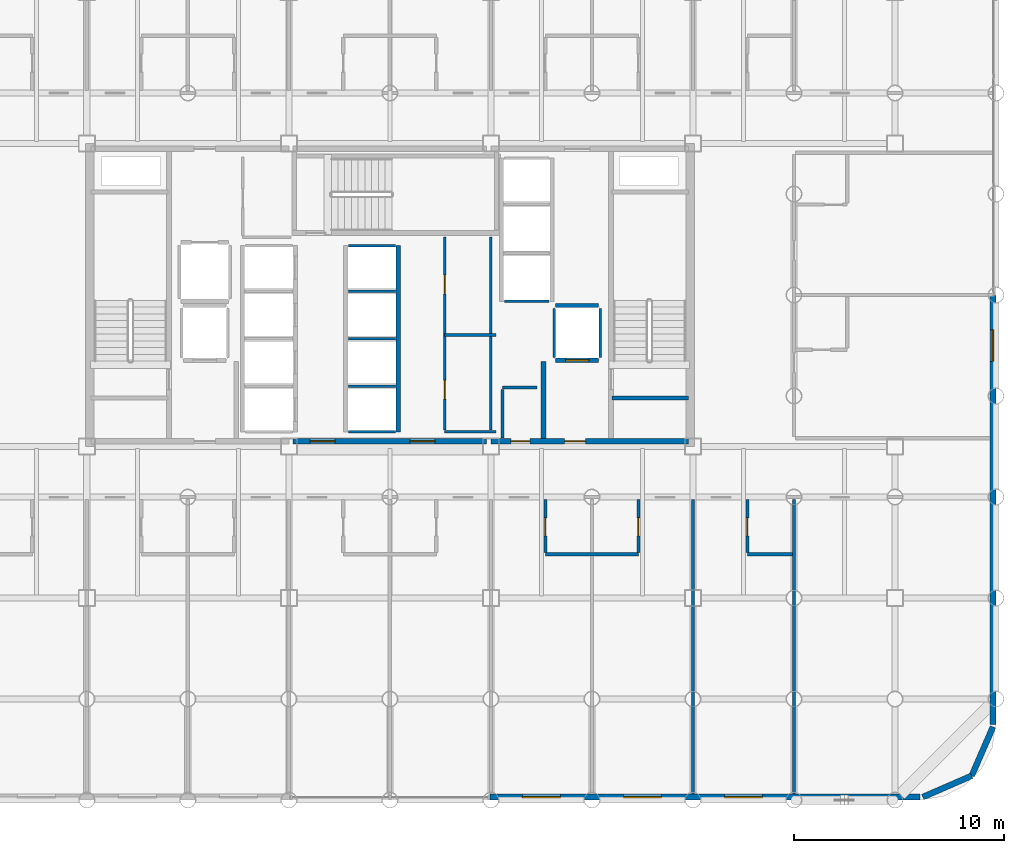
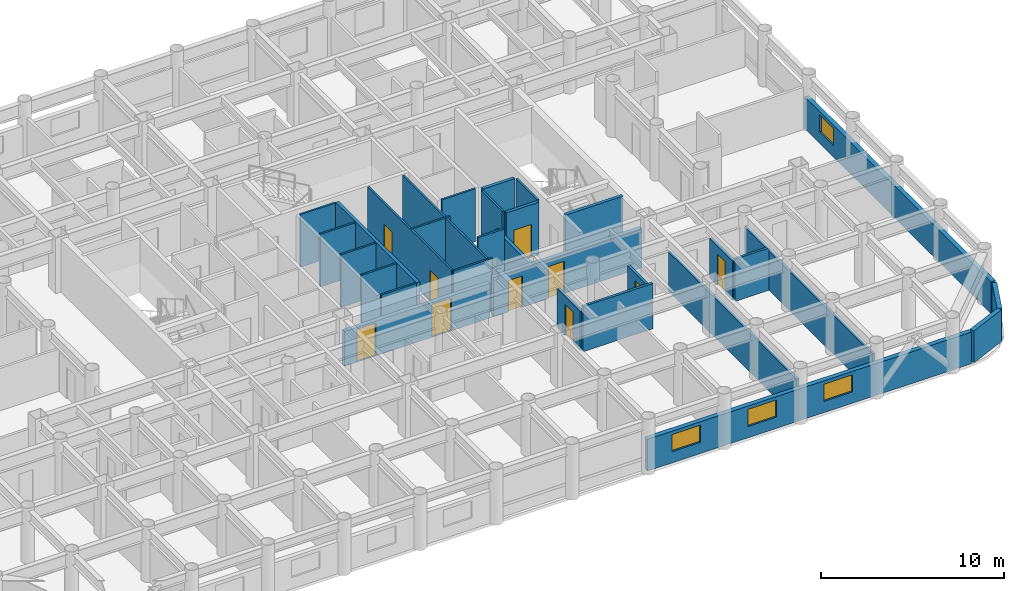
# One storey, part 18 of 22: 32 walls, 10 doors, 4 windows, 14 openings.
"""IFC4 building model written with IfcOpenShell, lengths in metres."""

from ifc_helpers import new_model, si_unit, direction, frame, frame_2d, origin, place, context, subcontext, project, spatial, rectangle, extrude, material, layer, layer_set, type_object, element, fill, save


model = new_model("IFC4")

# Units and contexts
model_context = context("Model", 3, precision=1e-05, world=origin(), true_north=direction((0.0, 1.0)))
body_context = subcontext(model_context, "Body", "Model", "MODEL_VIEW")
ifc_project = project(units=[si_unit("LENGTHUNIT", "METRE"), si_unit("AREAUNIT", "SQUARE_METRE"), si_unit("VOLUMEUNIT", "CUBIC_METRE"), si_unit("PLANEANGLEUNIT", "RADIAN"), si_unit("MASSUNIT", "GRAM", prefix="KILO")], contexts=[model_context])

# Site, building, storey
site_placement = place(None, origin())
site = spatial("IfcSite", under=ifc_project, at=site_placement, CompositionType="ELEMENT")
building_placement = place(site_placement, origin())
building = spatial("IfcBuilding", under=site, at=building_placement, Name="Kallvorn Hotel Tower", CompositionType="ELEMENT")
storey_placement = place(building_placement, frame((0.0, 0.0, 37.39990234375)))
storey = spatial("IfcBuildingStorey", under=building, at=storey_placement, Name="L07", CompositionType="ELEMENT", Elevation=37.39990234375)

# Walls
ifc_material_1 = material(Name="Fire-rated double-layer acoustic gypsum drywall EI 60")
ifc_layer_1 = layer(ifc_material_1, 0.159912109375)
ifc_layer_set_1 = layer_set([ifc_layer_1], Name="WL_DEMISE_160")
wall_type_1 = type_object("IfcWallType", Name="WL_DEMISE_160", PredefinedType="PARTITIONING", material=ifc_layer_set_1)
wall_1_placement = place(storey_placement, frame((7.389892578125, -12.320068359375, 0.0), z_axis=(0.0, 0.0, 1.0), x_axis=(1.0, 0.0, 0.0)))
element("IfcWall", 1, at=wall_1_placement, inside=storey, type_object=wall_type_1, Name="L07 Suite 711 Superior Twin Room Partition", PredefinedType="PARTITIONING", context=body_context, shape_type="SweptSolid", body=[
    extrude(rectangle(XDim=4.420166015625, YDim=0.159912109375, at=frame_2d((2.2099609375, 0.0))), origin(), (0.0, 0.0, 1.0), 3.02001953125),
])
wall_2_placement = place(storey_placement, frame((16.989990234375, -12.320068359375, 0.0), z_axis=(0.0, 0.0, 1.0), x_axis=(1.0, 0.0, 0.0)))
element("IfcWall", 2, at=wall_2_placement, inside=storey, type_object=wall_type_1, Name="L07 Suite 713 Superior Twin Room Partition", PredefinedType="PARTITIONING", context=body_context, shape_type="SweptSolid", body=[
    extrude(rectangle(XDim=2.130126953125, YDim=0.159912109375, at=frame_2d((1.06494140625, 0.0))), origin(), (0.0, 0.0, 1.0), 2.820068359375),
])

# Wall, opening, door
wall_3_placement = place(storey_placement, frame((7.389892578125, -12.235107421875, 0.0), z_axis=(0.0, 0.0, 1.0), x_axis=(0.0, 1.0, 0.0)))
wall_3 = element("IfcWall", 3, at=wall_3_placement, inside=storey, type_object=wall_type_1, Name="L07 Suite 711 Superior Twin Room Partition", PredefinedType="PARTITIONING", context=body_context, shape_type="SweptSolid", body=[
    extrude(rectangle(XDim=2.51513671875, YDim=0.159912109375, at=frame_2d((1.257568359375, 0.0))), origin(), (0.0, 0.0, 1.0), 2.6201171875),
])
opening_1_placement = place(wall_3_placement, frame((0.784912109375, 0.0, 0.0)))
opening_1 = element("IfcOpeningElement", 4, at=opening_1_placement, cuts=wall_3, Name="Opening BD-I", PredefinedType="OPENING", context=body_context, shape_type="SweptSolid", body=[
    extrude(rectangle(XDim=0.860107421875, YDim=2.10009765625, at=frame_2d((0.43017578125, 1.050048828125))), frame((0.0, 0.094970703125, 0.0), z_axis=(0.0, -1.0, 0.0), x_axis=(1.0, 0.0, 0.0)), (0.0, 0.0, 1.0), 0.18994140625),
])
ifc_material_2 = material(Name="Solid-core walnut veneer fire-rated timber door leaf", Category="wood")
door_type_1 = type_object("IfcDoorType", Name="DR_BATH_860x2100", OperationType="NOTDEFINED", PredefinedType="DOOR", material=ifc_material_2)
door_1_placement = place(opening_1_placement, origin())
door_1 = element("IfcDoor", 5, at=door_1_placement, inside=storey, type_object=door_type_1, Name="L07 Suite 711 En-Suite Bathroom Door", OperationType="SINGLE_SWING_LEFT", OverallHeight=2.10009765625, OverallWidth=0.860107421875, PredefinedType="DOOR", context=body_context, shape_type="SweptSolid", body=[
    extrude(rectangle(XDim=0.860107421875, YDim=2.10009765625, at=frame_2d((0.43017578125, 1.050048828125))), frame((0.0, 0.02490234375, 0.0), z_axis=(0.0, -1.0, 0.0), x_axis=(1.0, 0.0, 0.0)), (0.0, 0.0, 1.0), 0.050048828125),
])
fill(opening_1, door_1)

wall_4_placement = place(storey_placement, frame((11.81005859375, -12.235107421875, 0.0), z_axis=(0.0, 0.0, 1.0), x_axis=(0.0, 1.0, 0.0)))
wall_4 = element("IfcWall", 6, at=wall_4_placement, inside=storey, type_object=wall_type_1, Name="L07 Suite 712 Superior Twin Room Partition", PredefinedType="PARTITIONING", context=body_context, shape_type="SweptSolid", body=[
    extrude(rectangle(XDim=2.51513671875, YDim=0.159912109375, at=frame_2d((1.257568359375, 0.0))), origin(), (0.0, 0.0, 1.0), 2.6201171875),
])
opening_2_placement = place(wall_4_placement, frame((0.784912109375, 0.0, 0.0)))
opening_2 = element("IfcOpeningElement", 7, at=opening_2_placement, cuts=wall_4, Name="Opening BD-I", PredefinedType="OPENING", context=body_context, shape_type="SweptSolid", body=[
    extrude(rectangle(XDim=0.860107421875, YDim=2.10009765625, at=frame_2d((0.43017578125, 1.050048828125))), frame((0.0, 0.094970703125, 0.0), z_axis=(0.0, -1.0, 0.0), x_axis=(1.0, 0.0, 0.0)), (0.0, 0.0, 1.0), 0.18994140625),
])
door_2_placement = place(opening_2_placement, origin())
door_2 = element("IfcDoor", 8, at=door_2_placement, inside=storey, type_object=door_type_1, Name="L07 Suite 712 En-Suite Bathroom Door", OperationType="SINGLE_SWING_LEFT", OverallHeight=2.10009765625, OverallWidth=0.860107421875, PredefinedType="DOOR", context=body_context, shape_type="SweptSolid", body=[
    extrude(rectangle(XDim=0.860107421875, YDim=2.10009765625, at=frame_2d((0.43017578125, 1.050048828125))), frame((0.0, 0.02490234375, 0.0), z_axis=(0.0, -1.0, 0.0), x_axis=(1.0, 0.0, 0.0)), (0.0, 0.0, 1.0), 0.050048828125),
])
fill(opening_2, door_2)

# Wall
wall_5_placement = place(storey_placement, frame((14.39990234375, -23.7099609375, 0.0), z_axis=(0.0, 0.0, 1.0), x_axis=(0.0, 1.0, 0.0)))
element("IfcWall", 9, at=wall_5_placement, inside=storey, type_object=wall_type_1, Name="L07 Suite 712 Superior Twin Room Partition", PredefinedType="PARTITIONING", context=body_context, shape_type="SweptSolid", body=[
    extrude(rectangle(XDim=13.989990234375, YDim=0.159912109375, at=frame_2d((6.9951171875, 0.0))), origin(), (0.0, 0.0, 1.0), 2.6201171875),
])

# Wall, opening, door
wall_6_placement = place(storey_placement, frame((16.989990234375, -12.235107421875, 0.0), z_axis=(0.0, 0.0, 1.0), x_axis=(0.0, 1.0, 0.0)))
wall_6 = element("IfcWall", 10, at=wall_6_placement, inside=storey, type_object=wall_type_1, Name="L07 Suite 713 Superior Twin Room Partition", PredefinedType="PARTITIONING", context=body_context, shape_type="SweptSolid", body=[
    extrude(rectangle(XDim=2.51513671875, YDim=0.159912109375, at=frame_2d((1.257568359375, 0.0))), origin(), (0.0, 0.0, 1.0), 2.6201171875),
])
opening_3_placement = place(wall_6_placement, frame((0.784912109375, 0.0, 0.0)))
opening_3 = element("IfcOpeningElement", 11, at=opening_3_placement, cuts=wall_6, Name="Opening BD-I", PredefinedType="OPENING", context=body_context, shape_type="SweptSolid", body=[
    extrude(rectangle(XDim=0.860107421875, YDim=2.10009765625, at=frame_2d((0.43017578125, 1.050048828125))), frame((0.0, 0.094970703125, 0.0), z_axis=(0.0, -1.0, 0.0), x_axis=(1.0, 0.0, 0.0)), (0.0, 0.0, 1.0), 0.18994140625),
])
door_3_placement = place(opening_3_placement, origin())
door_3 = element("IfcDoor", 12, at=door_3_placement, inside=storey, type_object=door_type_1, Name="L07 Suite 713 En-Suite Bathroom Door", OperationType="SINGLE_SWING_LEFT", OverallHeight=2.10009765625, OverallWidth=0.860107421875, PredefinedType="DOOR", context=body_context, shape_type="SweptSolid", body=[
    extrude(rectangle(XDim=0.860107421875, YDim=2.10009765625, at=frame_2d((0.43017578125, 1.050048828125))), frame((0.0, 0.02490234375, 0.0), z_axis=(0.0, -1.0, 0.0), x_axis=(1.0, 0.0, 0.0)), (0.0, 0.0, 1.0), 0.050048828125),
])
fill(opening_3, door_3)

# Walls
wall_7_placement = place(storey_placement, frame((19.199951171875, -23.7099609375, 0.0), z_axis=(0.0, 0.0, 1.0), x_axis=(0.0, 1.0, 0.0)))
element("IfcWall", 13, at=wall_7_placement, inside=storey, type_object=wall_type_1, Name="L07 Suite 713 Superior Twin Room Partition", PredefinedType="PARTITIONING", context=body_context, shape_type="SweptSolid", body=[
    extrude(rectangle(XDim=13.989990234375, YDim=0.159912109375, at=frame_2d((6.9951171875, 0.0))), origin(), (0.0, 0.0, 1.0), 2.6201171875),
])
ifc_material_3 = material(Name="Precast basalt-clad insulated concrete wall C40/50", Category="masonry")
ifc_layer_2 = layer(ifc_material_3, 0.280029296875)
ifc_layer_set_2 = layer_set([ifc_layer_2], Name="WL_EXT_LOGGIA_280")
wall_type_2 = type_object("IfcWallType", Name="WL_EXT_LOGGIA_280", PredefinedType="SOLIDWALL", material=ifc_layer_set_2)
wall_8_placement = place(storey_placement, frame((25.32080078125, -23.85791015625, 0.0), z_axis=(0.0, 0.0, 1.0), x_axis=(0.917060872934, 0.398747232384, 0.0)))
element("IfcWall", 14, at=wall_8_placement, inside=storey, type_object=wall_type_2, Name="L07 Rounded Corner Exterior Wall SE1", PredefinedType="SOLIDWALL", context=body_context, shape_type="SweptSolid", body=[
    extrude(rectangle(XDim=2.5361328125, YDim=0.280029296875, at=frame_2d((1.26806640625, 0.0))), origin(), (0.0, 0.0, 1.0), 2.1201171875),
])
wall_9_placement = place(storey_placement, frame((27.646484375, -22.8466796875, 0.0), z_axis=(0.0, 0.0, 1.0), x_axis=(0.398792985289, 0.917040977756, 0.0)))
element("IfcWall", 15, at=wall_9_placement, inside=storey, type_object=wall_type_2, Name="L07 Rounded Corner Exterior Wall SE2", PredefinedType="SOLIDWALL", context=body_context, shape_type="SweptSolid", body=[
    extrude(rectangle(XDim=2.536376953125, YDim=0.280029296875, at=frame_2d((1.26806640625, 0.0))), origin(), (0.0, 0.0, 1.0), 2.1201171875),
])

# Wall, openings, windows
wall_10_placement = place(storey_placement, frame((4.75, -23.860107421875, 0.0), z_axis=(0.0, 0.0, 1.0), x_axis=(1.0, 0.0, 0.0)))
wall_10 = element("IfcWall", 16, at=wall_10_placement, inside=storey, type_object=wall_type_2, Name="L07 Exterior Envelope Wall EW-L07-SE", PredefinedType="SOLIDWALL", context=body_context, shape_type="SweptSolid", body=[
    extrude(rectangle(XDim=20.449951171875, YDim=0.280029296875, at=frame_2d((10.22509765625, 0.0))), origin(), (0.0, 0.0, 1.0), 2.1201171875),
])
opening_4_placement = place(wall_10_placement, frame((1.550048828125, 0.0, 0.75)))
opening_4 = element("IfcOpeningElement", 17, at=opening_4_placement, cuts=wall_10, Name="Opening W04A", PredefinedType="OPENING", context=body_context, shape_type="SweptSolid", body=[
    extrude(rectangle(XDim=1.800048828125, YDim=1.14990234375, at=frame_2d((0.89990234375, 0.574951171875))), frame((0.0, 0.155029296875, 0.0), z_axis=(0.0, -1.0, 0.0), x_axis=(1.0, 0.0, 0.0)), (0.0, 0.0, 1.0), 0.31005859375),
])
opening_5_placement = place(wall_10_placement, frame((6.35009765625, 0.0, 0.75)))
opening_5 = element("IfcOpeningElement", 18, at=opening_5_placement, cuts=wall_10, Name="Opening W04A", PredefinedType="OPENING", context=body_context, shape_type="SweptSolid", body=[
    extrude(rectangle(XDim=1.800048828125, YDim=1.14990234375, at=frame_2d((0.89990234375, 0.574951171875))), frame((0.0, 0.155029296875, 0.0), z_axis=(0.0, -1.0, 0.0), x_axis=(1.0, 0.0, 0.0)), (0.0, 0.0, 1.0), 0.31005859375),
])
opening_6_placement = place(wall_10_placement, frame((11.14990234375, 0.0, 0.75)))
opening_6 = element("IfcOpeningElement", 19, at=opening_6_placement, cuts=wall_10, Name="Opening W04A", PredefinedType="OPENING", context=body_context, shape_type="SweptSolid", body=[
    extrude(rectangle(XDim=1.800048828125, YDim=1.14990234375, at=frame_2d((0.89990234375, 0.574951171875))), frame((0.0, 0.155029296875, 0.0), z_axis=(0.0, -1.0, 0.0), x_axis=(1.0, 0.0, 0.0)), (0.0, 0.0, 1.0), 0.31005859375),
])
ifc_material_4 = material(Name="Double-glazed low-e solar-control dark glass", Category="glass")
window_type_1 = type_object("IfcWindowType", Name="WN_HTL_1800x1150", PartitioningType="SINGLE_PANEL", PredefinedType="WINDOW", material=ifc_material_4)
window_1_placement = place(opening_4_placement, origin())
window_1 = element("IfcWindow", 20, at=window_1_placement, inside=storey, type_object=window_type_1, Name="L07 Guestroom Exterior Window 07", OverallHeight=1.14990234375, OverallWidth=1.800048828125, PartitioningType="SINGLE_PANEL", PredefinedType="WINDOW", context=body_context, shape_type="SweptSolid", body=[
    extrude(rectangle(XDim=1.800048828125, YDim=1.14990234375, at=frame_2d((0.89990234375, 0.574951171875))), frame((0.0, 0.030029296875, 0.0), z_axis=(0.0, -1.0, 0.0), x_axis=(1.0, 0.0, 0.0)), (0.0, 0.0, 1.0), 0.06005859375),
])
fill(opening_4, window_1)
window_2_placement = place(opening_5_placement, origin())
window_2 = element("IfcWindow", 21, at=window_2_placement, inside=storey, type_object=window_type_1, Name="L07 Guestroom Exterior Window 08", OverallHeight=1.14990234375, OverallWidth=1.800048828125, PartitioningType="SINGLE_PANEL", PredefinedType="WINDOW", context=body_context, shape_type="SweptSolid", body=[
    extrude(rectangle(XDim=1.800048828125, YDim=1.14990234375, at=frame_2d((0.89990234375, 0.574951171875))), frame((0.0, 0.030029296875, 0.0), z_axis=(0.0, -1.0, 0.0), x_axis=(1.0, 0.0, 0.0)), (0.0, 0.0, 1.0), 0.06005859375),
])
fill(opening_5, window_2)
window_3_placement = place(opening_6_placement, origin())
window_3 = element("IfcWindow", 22, at=window_3_placement, inside=storey, type_object=window_type_1, Name="L07 Guestroom Exterior Window 09", OverallHeight=1.14990234375, OverallWidth=1.800048828125, PartitioningType="SINGLE_PANEL", PredefinedType="WINDOW", context=body_context, shape_type="SweptSolid", body=[
    extrude(rectangle(XDim=1.800048828125, YDim=1.14990234375, at=frame_2d((0.89990234375, 0.574951171875))), frame((0.0, 0.030029296875, 0.0), z_axis=(0.0, -1.0, 0.0), x_axis=(1.0, 0.0, 0.0)), (0.0, 0.0, 1.0), 0.06005859375),
])
fill(opening_6, window_3)

# Wall, opening, window
wall_11_placement = place(storey_placement, frame((28.659912109375, -20.39990234375, 0.0), z_axis=(0.0, 0.0, 1.0), x_axis=(0.0, 1.0, 0.0)))
wall_11 = element("IfcWall", 23, at=wall_11_placement, inside=storey, type_object=wall_type_2, Name="L07 Exterior Envelope Wall EW-L07-ES", PredefinedType="SOLIDWALL", context=body_context, shape_type="SweptSolid", body=[
    extrude(rectangle(XDim=20.3798828125, YDim=0.280029296875, at=frame_2d((10.18994140625, 0.0))), origin(), (0.0, 0.0, 1.0), 2.1201171875),
])
opening_7_placement = place(wall_11_placement, frame((17.25, 0.0, 0.75)))
opening_7 = element("IfcOpeningElement", 24, at=opening_7_placement, cuts=wall_11, Name="Opening W05A", PredefinedType="OPENING", context=body_context, shape_type="SweptSolid", body=[
    extrude(rectangle(XDim=1.5, YDim=1.14990234375, at=frame_2d((0.75, 0.574951171875))), frame((0.0, 0.155029296875, 0.0), z_axis=(0.0, -1.0, 0.0), x_axis=(1.0, 0.0, 0.0)), (0.0, 0.0, 1.0), 0.31005859375),
])
ifc_material_5 = material(Name="Double-glazed low-e solar-control dark glass", Category="glass")
window_type_2 = type_object("IfcWindowType", Name="WN_HTL_1500x1150", PartitioningType="SINGLE_PANEL", PredefinedType="WINDOW", material=ifc_material_5)
window_4_placement = place(opening_7_placement, origin())
window_4 = element("IfcWindow", 25, at=window_4_placement, inside=storey, type_object=window_type_2, Name="L07 Flank Wing Window 02", OverallHeight=1.14990234375, OverallWidth=1.5, PartitioningType="SINGLE_PANEL", PredefinedType="WINDOW", context=body_context, shape_type="SweptSolid", body=[
    extrude(rectangle(XDim=1.5, YDim=1.14990234375, at=frame_2d((0.75, 0.574951171875))), frame((0.0, 0.030029296875, 0.0), z_axis=(0.0, -1.0, 0.0), x_axis=(1.0, 0.0, 0.0)), (0.0, 0.0, 1.0), 0.06005859375),
])
fill(opening_7, window_4)

# Walls
ifc_material_6 = material(Name="Concrete C40/50", Category="concrete")
ifc_layer_3 = layer(ifc_material_6, 0.219970703125)
ifc_layer_set_3 = layer_set([ifc_layer_3], Name="WL_FFL_220")
wall_type_3 = type_object("IfcWallType", Name="WL_FFL_220", PredefinedType="SOLIDWALL", material=ifc_layer_set_3)
wall_12_placement = place(storey_placement, frame((7.300048828125, -6.820068359375, 0.0), z_axis=(0.0, 0.0, 1.0), x_axis=(0.0, 1.0, 0.0)))
element("IfcWall", 26, at=wall_12_placement, inside=storey, type_object=wall_type_3, Name="L07 Firefighting Lobby East Divider Wall", PredefinedType="SOLIDWALL", context=body_context, shape_type="SweptSolid", body=[
    extrude(rectangle(XDim=3.670166015625, YDim=0.219970703125, at=frame_2d((1.8349609375, 0.0))), origin(), (0.0, 0.0, 1.0), 2.6201171875),
])
ifc_material_7 = material(Name="Concrete C40/50", Category="concrete")
ifc_layer_4 = layer(ifc_material_7, 0.199951171875)
ifc_layer_set_4 = layer_set([ifc_layer_4], Name="WL_HOIST_200")
wall_type_4 = type_object("IfcWallType", Name="WL_HOIST_200", PredefinedType="SOLIDWALL", material=ifc_layer_set_4)
wall_13_placement = place(storey_placement, frame((10.550048828125, -4.89990234375, -0.179931640625), z_axis=(0.0, 0.0, 1.0), x_axis=(1.0, 0.0, 0.0)))
element("IfcWall", 27, at=wall_13_placement, inside=storey, type_object=wall_type_4, Name="L07 Stair ST2 South Wall", PredefinedType="SOLIDWALL", context=body_context, shape_type="SweptSolid", body=[
    extrude(rectangle(XDim=3.64990234375, YDim=0.199951171875, at=frame_2d((1.824951171875, 0.0))), origin(), (0.0, 0.0, 1.0), 3.699951171875),
])
wall_14_placement = place(storey_placement, frame((0.39990234375, -6.5, 0.0), z_axis=(0.0, 0.0, 1.0), x_axis=(0.0, 1.0, 0.0)))
element("IfcWall", 28, at=wall_14_placement, inside=storey, type_object=wall_type_4, Name="L07 Lift Bank B2 Rear Shaft Wall", PredefinedType="SOLIDWALL", context=body_context, shape_type="SweptSolid", body=[
    extrude(rectangle(XDim=8.85009765625, YDim=0.199951171875, at=frame_2d((4.425048828125, 0.0))), origin(), (0.0, 0.0, 1.0), 3.52001953125),
])

# Wall, opening, door
wall_15_placement = place(storey_placement, frame((7.8798828125, -3.10009765625, 0.0), z_axis=(0.0, 0.0, 1.0), x_axis=(1.0, 0.0, 0.0)))
wall_15 = element("IfcWall", 29, at=wall_15_placement, inside=storey, type_object=wall_type_4, Name="L07 FL-2 Landing Wall", PredefinedType="SOLIDWALL", context=body_context, shape_type="SweptSolid", body=[
    extrude(rectangle(XDim=2.0400390625, YDim=0.199951171875, at=frame_2d((1.02001953125, 0.0))), origin(), (0.0, 0.0, 1.0), 3.52001953125),
])
opening_8_placement = place(wall_15_placement, frame((0.469970703125, 0.0, 0.0)))
opening_8 = element("IfcOpeningElement", 30, at=opening_8_placement, cuts=wall_15, Name="Opening LD-FL-2", PredefinedType="OPENING", context=body_context, shape_type="SweptSolid", body=[
    extrude(rectangle(XDim=1.10009765625, YDim=2.199951171875, at=frame_2d((0.550048828125, 1.10009765625))), frame((0.0, 0.114990234375, 0.0), z_axis=(0.0, -1.0, 0.0), x_axis=(1.0, 0.0, 0.0)), (0.0, 0.0, 1.0), 0.22998046875),
])
ifc_material_8 = material(Name="Brushed stainless-steel automatic sliding lift landing door", Category="steel")
door_type_2 = type_object("IfcDoorType", Name="LD_PASS_1100x2200", OperationType="SLIDING_TO_LEFT", PredefinedType="DOOR", material=ifc_material_8)
door_4_placement = place(opening_8_placement, origin())
door_4 = element("IfcDoor", 31, at=door_4_placement, inside=storey, type_object=door_type_2, Name="L07 Lift Landing Sliding Door LD-FL-2", OperationType="SLIDING_TO_LEFT", OverallHeight=2.199951171875, OverallWidth=1.10009765625, PredefinedType="DOOR", context=body_context, shape_type="SweptSolid", body=[
    extrude(rectangle(XDim=1.10009765625, YDim=2.199951171875, at=frame_2d((0.550048828125, 1.10009765625))), frame((0.0, 0.02490234375, 0.0), z_axis=(0.0, -1.0, 0.0), x_axis=(1.0, 0.0, 0.0)), (0.0, 0.0, 1.0), 0.050048828125),
])
fill(opening_8, door_4)

# Walls
wall_16_placement = place(storey_placement, frame((7.8798828125, -0.5, 0.0), z_axis=(0.0, 0.0, 1.0), x_axis=(1.0, 0.0, 0.0)))
element("IfcWall", 32, at=wall_16_placement, inside=storey, type_object=wall_type_4, Name="L07 FL-2 Rear Shaft Wall", PredefinedType="SOLIDWALL", context=body_context, shape_type="SweptSolid", body=[
    extrude(rectangle(XDim=2.0400390625, YDim=0.199951171875, at=frame_2d((1.02001953125, 0.0))), origin(), (0.0, 0.0, 1.0), 3.52001953125),
])
ifc_material_9 = material(Name="Fire-rated double-layer acoustic gypsum drywall EI 60")
ifc_layer_5 = layer(ifc_material_9, 0.1201171875)
ifc_layer_set_5 = layer_set([ifc_layer_5], Name="WL_INT_120")
wall_type_5 = type_object("IfcWallType", Name="WL_INT_120", PredefinedType="PARTITIONING", material=ifc_layer_set_5)
for number, where, z_axis, x_axis, name in (
    (33, (-1.9599609375, -6.5, 0.0), (0.0, 0.0, 1.0), (1.0, 0.0, 0.0), "L07 Lift Bank B2 South Closure Wall"),
    (34, (-1.9599609375, -4.324951171875, 0.0), (0.0, 0.0, 1.0), (1.0, 0.0, 0.0), "L07 PL-05 Hoistway Divider"),
    (35, (-1.9599609375, -2.074951171875, 0.0), (0.0, 0.0, 1.0), (1.0, 0.0, 0.0), "L07 PL-06 Hoistway Divider"),
    (36, (-1.9599609375, 0.175048828125, 0.0), (0.0, 0.0, 1.0), (1.0, 0.0, 0.0), "L07 PL-07 Hoistway Divider"),
    (37, (-1.9599609375, 2.35009765625, 0.0), (0.0, 0.0, 1.0), (1.0, 0.0, 0.0), "L07 PL-08 Hoistway Divider"),
):
    element("IfcWall", number, at=place(storey_placement, frame(where, z_axis=z_axis, x_axis=x_axis)), inside=storey, type_object=wall_type_5, Name=name, PredefinedType="PARTITIONING", context=body_context, shape_type="SweptSolid", body=[
        extrude(rectangle(XDim=2.219970703125, YDim=0.1201171875, at=frame_2d((1.10986328125, 0.0))), origin(), (0.0, 0.0, 1.0), 3.52001953125),
    ])
wall_17_placement = place(storey_placement, frame((5.43994140625, -0.300048828125, 0.0), z_axis=(0.0, 0.0, 1.0), x_axis=(1.0, 0.0, 0.0)))
element("IfcWall", 38, at=wall_17_placement, inside=storey, type_object=wall_type_5, Name="L07 Lift Bank OBS South Closure Wall", PredefinedType="PARTITIONING", context=body_context, shape_type="SweptSolid", body=[
    extrude(rectangle(XDim=2.1201171875, YDim=0.1201171875, at=frame_2d((1.06005859375, 0.0))), origin(), (0.0, 0.0, 1.0), 3.52001953125),
])
for number, where, z_axis, x_axis, name in (
    (39, (7.800048828125, -2.9599609375, 0.0), (0.0, 0.0, 1.0), (0.0, 1.0, 0.0), "L07 FL-2 West Shaft Wall"),
    (40, (10.0, -2.9599609375, 0.0), (0.0, 0.0, 1.0), (0.0, 1.0, 0.0), "L07 FL-2 East Shaft Wall"),
):
    element("IfcWall", number, at=place(storey_placement, frame(where, z_axis=z_axis, x_axis=x_axis)), inside=storey, type_object=wall_type_5, Name=name, PredefinedType="PARTITIONING", context=body_context, shape_type="SweptSolid", body=[
        extrude(rectangle(XDim=2.320068359375, YDim=0.1201171875, at=frame_2d((1.16015625, 0.0))), origin(), (0.0, 0.0, 1.0), 3.52001953125),
    ])
for number, where, z_axis, x_axis, name in (
    (41, (2.60009765625, -6.5, 0.0), (0.0, 0.0, 1.0), (1.0, 0.0, 0.0), "L07 East Core Amenities and Minibar Store Partition"),
    (42, (2.60009765625, -1.89990234375, 0.0), (0.0, 0.0, 1.0), (1.0, 0.0, 0.0), "L07 East Core Amenities and Minibar Store Partition"),
):
    element("IfcWall", number, at=place(storey_placement, frame(where, z_axis=z_axis, x_axis=x_axis)), inside=storey, type_object=wall_type_5, Name=name, PredefinedType="PARTITIONING", context=body_context, shape_type="SweptSolid", body=[
        extrude(rectangle(XDim=2.449951171875, YDim=0.1201171875, at=frame_2d((1.22509765625, 0.0))), origin(), (0.0, 0.0, 1.0), 3.52001953125),
    ])

# Wall, openings, doors
wall_18_placement = place(storey_placement, frame((2.60009765625, -6.4150390625, 0.0), z_axis=(0.0, 0.0, 1.0), x_axis=(0.0, 1.0, 0.0)))
wall_18 = element("IfcWall", 43, at=wall_18_placement, inside=storey, type_object=wall_type_5, Name="L07 East Core Amenities and Minibar Store Partition", PredefinedType="PARTITIONING", context=body_context, shape_type="SweptSolid", body=[
    extrude(rectangle(XDim=9.1650390625, YDim=0.1201171875, at=frame_2d((4.58251953125, 0.0))), origin(), (0.0, 0.0, 1.0), 3.52001953125),
])
opening_9_placement = place(wall_18_placement, frame((1.465087890625, 0.0, 0.0)))
opening_9 = element("IfcOpeningElement", 44, at=opening_9_placement, cuts=wall_18, Name="Opening SVD1", PredefinedType="OPENING", context=body_context, shape_type="SweptSolid", body=[
    extrude(rectangle(XDim=0.89990234375, YDim=2.10009765625, at=frame_2d((0.449951171875, 1.050048828125))), frame((0.0, 0.074951171875, 0.0), z_axis=(0.0, -1.0, 0.0), x_axis=(1.0, 0.0, 0.0)), (0.0, 0.0, 1.0), 0.150146484375),
])
opening_10_placement = place(wall_18_placement, frame((6.465087890625, 0.0, 0.0)))
opening_10 = element("IfcOpeningElement", 45, at=opening_10_placement, cuts=wall_18, Name="Opening SVD1", PredefinedType="OPENING", context=body_context, shape_type="SweptSolid", body=[
    extrude(rectangle(XDim=0.89990234375, YDim=2.10009765625, at=frame_2d((0.449951171875, 1.050048828125))), frame((0.0, 0.074951171875, 0.0), z_axis=(0.0, -1.0, 0.0), x_axis=(1.0, 0.0, 0.0)), (0.0, 0.0, 1.0), 0.150146484375),
])
ifc_material_10 = material(Name="Galvanised painted steel fire-rated door assembly", Category="steel")
door_type_3 = type_object("IfcDoorType", Name="DR_SERV_900x2100", OperationType="NOTDEFINED", PredefinedType="DOOR", material=ifc_material_10)
door_5_placement = place(opening_9_placement, origin())
door_5 = element("IfcDoor", 46, at=door_5_placement, inside=storey, type_object=door_type_3, Name="L07 East Core Amenities and Minibar Store Door", OperationType="SINGLE_SWING_RIGHT", OverallHeight=2.10009765625, OverallWidth=0.89990234375, PredefinedType="DOOR", context=body_context, shape_type="SweptSolid", body=[
    extrude(rectangle(XDim=0.89990234375, YDim=2.10009765625, at=frame_2d((0.449951171875, 1.050048828125))), frame((0.0, 0.02490234375, 0.0), z_axis=(0.0, -1.0, 0.0), x_axis=(1.0, 0.0, 0.0)), (0.0, 0.0, 1.0), 0.050048828125),
])
fill(opening_9, door_5)
door_6_placement = place(opening_10_placement, origin())
door_6 = element("IfcDoor", 47, at=door_6_placement, inside=storey, type_object=door_type_3, Name="L07 East Core Cleaners and Janitor Room Door", OperationType="SINGLE_SWING_RIGHT", OverallHeight=2.10009765625, OverallWidth=0.89990234375, PredefinedType="DOOR", context=body_context, shape_type="SweptSolid", body=[
    extrude(rectangle(XDim=0.89990234375, YDim=2.10009765625, at=frame_2d((0.449951171875, 1.050048828125))), frame((0.0, 0.02490234375, 0.0), z_axis=(0.0, -1.0, 0.0), x_axis=(1.0, 0.0, 0.0)), (0.0, 0.0, 1.0), 0.050048828125),
])
fill(opening_10, door_6)

# Walls
wall_19_placement = place(storey_placement, frame((4.800048828125, -6.4150390625, 0.0), z_axis=(0.0, 0.0, 1.0), x_axis=(0.0, 1.0, 0.0)))
element("IfcWall", 48, at=wall_19_placement, inside=storey, type_object=wall_type_5, Name="L07 East Core Amenities and Minibar Store Partition", PredefinedType="PARTITIONING", context=body_context, shape_type="SweptSolid", body=[
    extrude(rectangle(XDim=9.1650390625, YDim=0.1201171875, at=frame_2d((4.58251953125, 0.0))), origin(), (0.0, 0.0, 1.0), 3.52001953125),
])
ifc_material_11 = material(Name="Moisture-resistant acoustic plumbing chase wall EI 60")
ifc_layer_6 = layer(ifc_material_11, 0.139892578125)
ifc_layer_set_6 = layer_set([ifc_layer_6], Name="WL_PLUMB_140")
wall_type_6 = type_object("IfcWallType", Name="WL_PLUMB_140", PredefinedType="PLUMBINGWALL", material=ifc_layer_set_6)
wall_20_placement = place(storey_placement, frame((5.35009765625, -4.39990234375, 0.0), z_axis=(0.0, 0.0, 1.0), x_axis=(1.0, 0.0, 0.0)))
element("IfcWall", 49, at=wall_20_placement, inside=storey, type_object=wall_type_6, Name="L07 Core Staff Restroom WC Partition", PredefinedType="PLUMBINGWALL", context=body_context, shape_type="SweptSolid", body=[
    extrude(rectangle(XDim=1.64990234375, YDim=0.139892578125, at=frame_2d((0.824951171875, 0.0))), origin(), (0.0, 0.0, 1.0), 3.52001953125),
])
wall_21_placement = place(storey_placement, frame((5.35009765625, -6.800048828125, 0.0), z_axis=(0.0, 0.0, 1.0), x_axis=(0.0, 1.0, 0.0)))
element("IfcWall", 50, at=wall_21_placement, inside=storey, type_object=wall_type_6, Name="L07 Core Staff Restroom WC Partition", PredefinedType="PLUMBINGWALL", context=body_context, shape_type="SweptSolid", body=[
    extrude(rectangle(XDim=2.31494140625, YDim=0.139892578125, at=frame_2d((1.157470703125, 0.0))), origin(), (0.0, 0.0, 1.0), 2.6201171875),
])

# Wall, openings, doors
ifc_material_12 = material(Name="Concrete C40/50", Category="concrete")
ifc_layer_7 = layer(ifc_material_12, 0.25)
ifc_layer_set_7 = layer_set([ifc_layer_7], Name="WL_SHAFT_250")
wall_type_7 = type_object("IfcWallType", Name="WL_SHAFT_250", PredefinedType="SOLIDWALL", material=ifc_layer_set_7)
wall_22_placement = place(storey_placement, frame((-4.60009765625, -6.949951171875, 0.0), z_axis=(0.0, 0.0, 1.0), x_axis=(1.0, 0.0, 0.0)))
wall_22 = element("IfcWall", 51, at=wall_22_placement, inside=storey, type_object=wall_type_7, Name="L07 Core South-Central Wall", PredefinedType="SOLIDWALL", context=body_context, shape_type="SweptSolid", body=[
    extrude(rectangle(XDim=9.2001953125, YDim=0.25, at=frame_2d((4.60009765625, 0.0))), origin(), (0.0, 0.0, 1.0), 2.320068359375),
])
opening_11_placement = place(wall_22_placement, frame((0.800048828125, 0.0, 0.0)))
opening_11 = element("IfcOpeningElement", 52, at=opening_11_placement, cuts=wall_22, Name="Opening FD2", PredefinedType="OPENING", context=body_context, shape_type="SweptSolid", body=[
    extrude(rectangle(XDim=1.199951171875, YDim=2.199951171875, at=frame_2d((0.60009765625, 1.10009765625))), frame((0.0, 0.139892578125, 0.0), z_axis=(0.0, -1.0, 0.0), x_axis=(1.0, 0.0, 0.0)), (0.0, 0.0, 1.0), 0.280029296875),
])
opening_12_placement = place(wall_22_placement, frame((5.550048828125, 0.0, 0.0)))
opening_12 = element("IfcOpeningElement", 53, at=opening_12_placement, cuts=wall_22, Name="Opening FD2", PredefinedType="OPENING", context=body_context, shape_type="SweptSolid", body=[
    extrude(rectangle(XDim=1.199951171875, YDim=2.199951171875, at=frame_2d((0.60009765625, 1.10009765625))), frame((0.0, 0.139892578125, 0.0), z_axis=(0.0, -1.0, 0.0), x_axis=(1.0, 0.0, 0.0)), (0.0, 0.0, 1.0), 0.280029296875),
])
ifc_material_13 = material(Name="Galvanised painted steel fire-rated door assembly", Category="steel")
door_type_4 = type_object("IfcDoorType", Name="DR_LOBBY_1200x2200", OperationType="DOUBLE_DOOR_SINGLE_SWING", PredefinedType="DOOR", material=ifc_material_13)
door_7_placement = place(opening_11_placement, origin())
door_7 = element("IfcDoor", 54, at=door_7_placement, inside=storey, type_object=door_type_4, Name="L07 West Passenger Lift Lobby Door", OperationType="DOUBLE_DOOR_SINGLE_SWING", OverallHeight=2.199951171875, OverallWidth=1.199951171875, PredefinedType="DOOR", context=body_context, shape_type="SweptSolid", body=[
    extrude(rectangle(XDim=1.199951171875, YDim=2.199951171875, at=frame_2d((0.60009765625, 1.10009765625))), frame((0.0, 0.02490234375, 0.0), z_axis=(0.0, -1.0, 0.0), x_axis=(1.0, 0.0, 0.0)), (0.0, 0.0, 1.0), 0.050048828125),
])
fill(opening_11, door_7)
door_8_placement = place(opening_12_placement, origin())
door_8 = element("IfcDoor", 55, at=door_8_placement, inside=storey, type_object=door_type_4, Name="L07 East Passenger Lift Lobby Door", OperationType="DOUBLE_DOOR_SINGLE_SWING", OverallHeight=2.199951171875, OverallWidth=1.199951171875, PredefinedType="DOOR", context=body_context, shape_type="SweptSolid", body=[
    extrude(rectangle(XDim=1.199951171875, YDim=2.199951171875, at=frame_2d((0.60009765625, 1.10009765625))), frame((0.0, 0.02490234375, 0.0), z_axis=(0.0, -1.0, 0.0), x_axis=(1.0, 0.0, 0.0)), (0.0, 0.0, 1.0), 0.050048828125),
])
fill(opening_12, door_8)

wall_23_placement = place(storey_placement, frame((4.800048828125, -6.949951171875, 0.0), z_axis=(0.0, 0.0, 1.0), x_axis=(1.0, 0.0, 0.0)))
wall_23 = element("IfcWall", 56, at=wall_23_placement, inside=storey, type_object=wall_type_7, Name="L07 Core South-East Wall", PredefinedType="SOLIDWALL", context=body_context, shape_type="SweptSolid", body=[
    extrude(rectangle(XDim=9.39990234375, YDim=0.25, at=frame_2d((4.699951171875, 0.0))), origin(), (0.0, 0.0, 1.0), 2.6201171875),
])
opening_13_placement = place(wall_23_placement, frame((3.5, 0.0, 0.0)))
opening_13 = element("IfcOpeningElement", 57, at=opening_13_placement, cuts=wall_23, Name="Opening FD1", PredefinedType="OPENING", context=body_context, shape_type="SweptSolid", body=[
    extrude(rectangle(XDim=1.0, YDim=2.14990234375, at=frame_2d((0.5, 1.074951171875))), frame((0.0, 0.139892578125, 0.0), z_axis=(0.0, -1.0, 0.0), x_axis=(1.0, 0.0, 0.0)), (0.0, 0.0, 1.0), 0.280029296875),
])
opening_14_placement = place(wall_23_placement, frame((0.949951171875, 0.0, 0.0)))
opening_14 = element("IfcOpeningElement", 58, at=opening_14_placement, cuts=wall_23, Name="Opening SVD1", PredefinedType="OPENING", context=body_context, shape_type="SweptSolid", body=[
    extrude(rectangle(XDim=0.89990234375, YDim=2.10009765625, at=frame_2d((0.449951171875, 1.050048828125))), frame((0.0, 0.139892578125, 0.0), z_axis=(0.0, -1.0, 0.0), x_axis=(1.0, 0.0, 0.0)), (0.0, 0.0, 1.0), 0.280029296875),
])
ifc_material_14 = material(Name="Galvanised painted steel fire-rated door assembly", Category="steel")
door_type_5 = type_object("IfcDoorType", Name="DR_FFL_1000x2150", OperationType="NOTDEFINED", PredefinedType="DOOR", material=ifc_material_14)
door_9_placement = place(opening_13_placement, origin())
door_9 = element("IfcDoor", 59, at=door_9_placement, inside=storey, type_object=door_type_5, Name="L07 Firefighting Lobby East Door", OperationType="SINGLE_SWING_LEFT", OverallHeight=2.14990234375, OverallWidth=1.0, PredefinedType="DOOR", context=body_context, shape_type="SweptSolid", body=[
    extrude(rectangle(XDim=1.0, YDim=2.14990234375, at=frame_2d((0.5, 1.074951171875))), frame((0.0, 0.02490234375, 0.0), z_axis=(0.0, -1.0, 0.0), x_axis=(1.0, 0.0, 0.0)), (0.0, 0.0, 1.0), 0.050048828125),
])
fill(opening_13, door_9)
door_10_placement = place(opening_14_placement, origin())
door_10 = element("IfcDoor", 60, at=door_10_placement, inside=storey, type_object=door_type_3, Name="L07 Core Staff Restroom WC Door", OperationType="SINGLE_SWING_LEFT", OverallHeight=2.10009765625, OverallWidth=0.89990234375, PredefinedType="DOOR", context=body_context, shape_type="SweptSolid", body=[
    extrude(rectangle(XDim=0.89990234375, YDim=2.10009765625, at=frame_2d((0.449951171875, 1.050048828125))), frame((0.0, 0.02490234375, 0.0), z_axis=(0.0, -1.0, 0.0), x_axis=(1.0, 0.0, 0.0)), (0.0, 0.0, 1.0), 0.050048828125),
])
fill(opening_14, door_10)

save(model, "model.ifc")
